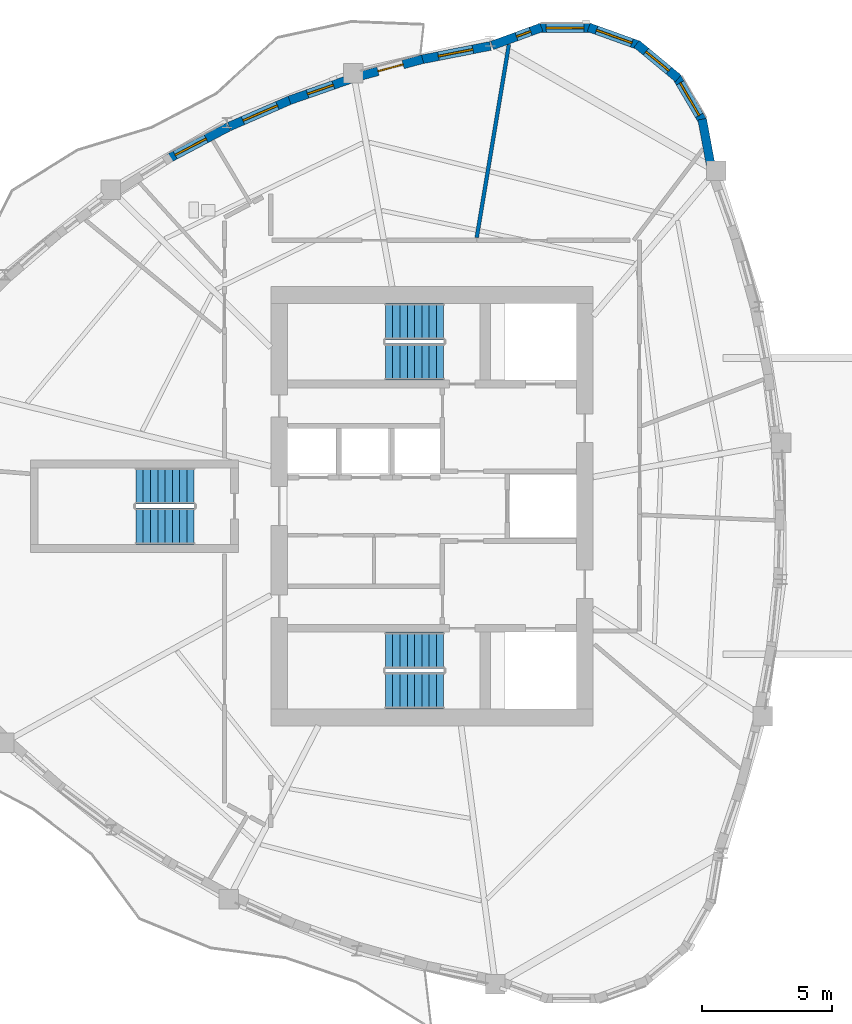
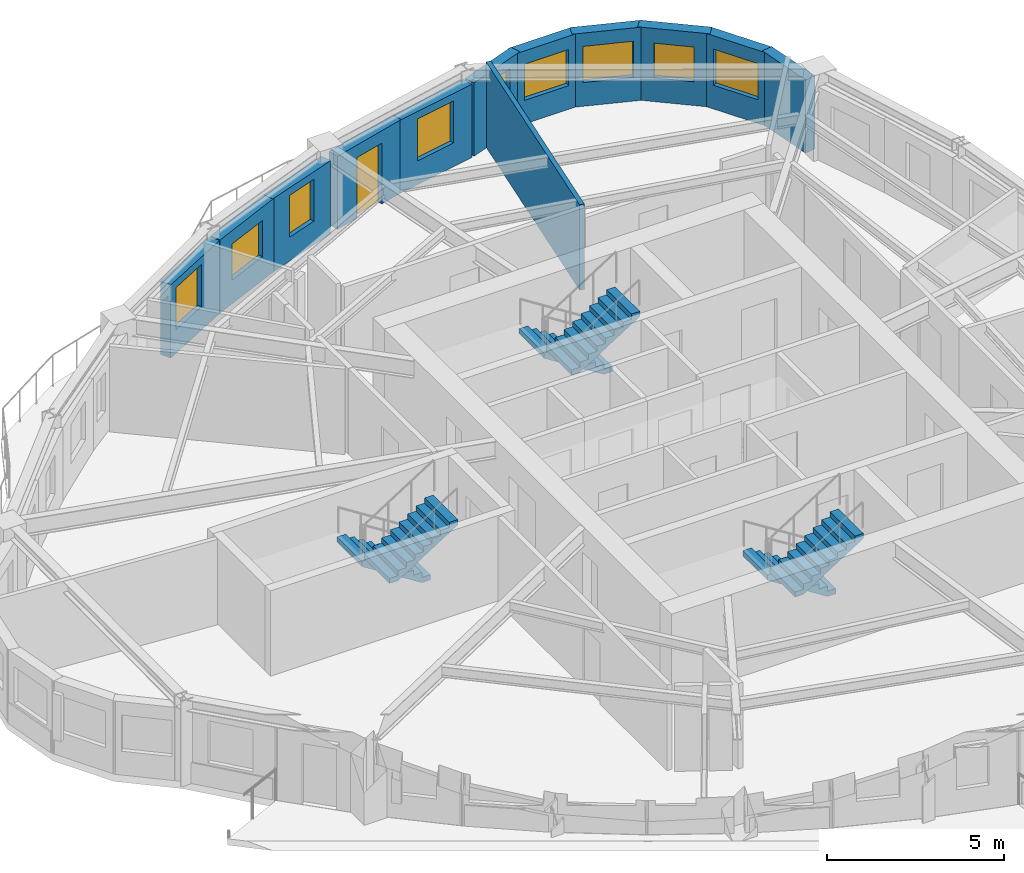
# One storey, part 7 of 11: 12 walls, 9 windows, 6 stair flights, 1 door, 10 openings, 3 elements without a shape of their own.
"""IFC4 building model written with IfcOpenShell, lengths in metres."""

import ifcopenshell
import ifcopenshell.guid

model = None  # the IFC model being written
_history = None  # IfcOwnerHistory: only IFC2X3 demands one
_inside = {}  # id of a spatial element -> (the spatial element, [elements in it])
_under = {}  # id of a project, library or spatial element -> (it, [spatial elements below it])
_declared = {}  # id of a project -> (the project, [libraries it declares])
_typed = {}  # id of a type object -> (the type object, [elements of that type])
_made_of = {}  # id of a material, layer set ... -> (it, [elements and type objects made of it])


def new_model(schema):
    """Start an empty IFC model of exactly this schema.

    Asked for "IFC4X3", IfcOpenShell would pick the latest addendum, in which some entities
    have other attributes; the version numbers below select the first issue.
    IFC2X3 requires an IfcOwnerHistory on every rooted entity: one is made here for all.
    """
    global model, _history
    if schema == "IFC4X3":
        model = ifcopenshell.file(schema_version=(4, 3, 0, 0))
    else:
        model = ifcopenshell.file(schema=schema)
    _inside.clear()
    _under.clear()
    _declared.clear()
    _typed.clear()
    _made_of.clear()
    _history = None
    if model.schema == "IFC2X3":
        org = make("IfcOrganization", Name="unknown")
        user = make(
            "IfcPersonAndOrganization",
            ThePerson=make("IfcPerson", FamilyName="unknown"),
            TheOrganization=org,
        )
        app = make(
            "IfcApplication",
            ApplicationDeveloper=org,
            Version="unknown",
            ApplicationFullName="unknown",
            ApplicationIdentifier="unknown",
        )
        _history = make(
            "IfcOwnerHistory",
            OwningUser=user,
            OwningApplication=app,
            ChangeAction="ADDED",
            CreationDate=0,
        )
    return model


def make(cls, **values):
    """One entity of the class cls with the attributes given. An attribute that is None is left unset."""
    return model.create_entity(
        cls, **{name: value for name, value in values.items() if value is not None}
    )


def rooted(cls, **values):
    """An entity with a GlobalId (a new one), such as an element, a storey or a relation."""
    return make(cls, GlobalId=ifcopenshell.guid.new(), OwnerHistory=_history, **values)


def si_unit(unit_type, name, prefix=None):
    """IfcSIUnit, for example si_unit("LENGTHUNIT", "METRE", prefix="MILLI")."""
    return make("IfcSIUnit", UnitType=unit_type, Prefix=prefix, Name=name)


def assignment(units):
    """IfcUnitAssignment: the units of a project."""
    return None if units is None else make("IfcUnitAssignment", Units=units)


def point(xyz):
    """IfcCartesianPoint."""
    return None if xyz is None else make("IfcCartesianPoint", Coordinates=xyz)


def direction(xyz):
    """IfcDirection."""
    return None if xyz is None else make("IfcDirection", DirectionRatios=xyz)


def frame(location, z_axis=None, x_axis=None):
    """IfcAxis2Placement3D, a coordinate frame: its origin and axes. An axis left out is left unset."""
    return make(
        "IfcAxis2Placement3D",
        Location=point(location),
        Axis=direction(z_axis),
        RefDirection=direction(x_axis),
    )


def frame_2d(location, x_axis=None):
    """IfcAxis2Placement2D, a coordinate frame in the plane: its origin and x axis."""
    return make(
        "IfcAxis2Placement2D", Location=point(location), RefDirection=direction(x_axis)
    )


def origin():
    """The frame at (0, 0, 0) with its axes left unset."""
    return frame((0.0, 0.0, 0.0))


def place(relative_to, where):
    """IfcLocalPlacement: puts the frame where relative to a parent placement (None: the world)."""
    return make(
        "IfcLocalPlacement", PlacementRelTo=relative_to, RelativePlacement=where
    )


def context(
    kind, dimensions, precision=None, world=None, true_north=None, identifier=None
):
    """IfcGeometricRepresentationContext, for example the 3D "Model" context."""
    return make(
        "IfcGeometricRepresentationContext",
        ContextIdentifier=identifier,
        ContextType=kind,
        CoordinateSpaceDimension=dimensions,
        Precision=precision,
        WorldCoordinateSystem=world,
        TrueNorth=true_north,
    )


def subcontext(parent, identifier, kind, view, scale=None):
    """IfcGeometricRepresentationSubContext, for example "Body" below "Model"."""
    return make(
        "IfcGeometricRepresentationSubContext",
        ContextIdentifier=identifier,
        ContextType=kind,
        ParentContext=parent,
        TargetScale=scale,
        TargetView=view,
    )


def project(units=None, contexts=None):
    """IfcProject with its units and contexts."""
    return rooted(
        "IfcProject",
        Name="project",
        RepresentationContexts=contexts,
        UnitsInContext=assignment(units),
    )


def spatial(cls, under=None, at=None, **own):
    """A site, building, storey or space (cls), placed at a placement, below another one or the project."""
    s = rooted(cls, ObjectPlacement=at, **own)
    if under is not None:
        _under.setdefault(under.id(), (under, []))[1].append(s)
    return s


def polyline(points):
    """IfcPolyline through the points."""
    return make("IfcPolyline", Points=[point(p) for p in points])


def profile(cls, at=None, kind="AREA", **sizes):
    """A parametric profile (cls). Its sizes go by their IFC names, for example OverallWidth=200.0."""
    return make(cls, ProfileType=kind, Position=at, **sizes)


def rectangle(**sizes):
    """IfcRectangleProfileDef."""
    return profile("IfcRectangleProfileDef", **sizes)


def outline(outer, holes=None, kind="AREA"):
    """IfcArbitraryClosedProfileDef: a profile drawn as a closed curve; with holes, ...WithVoids."""
    if holes is None:
        return make("IfcArbitraryClosedProfileDef", ProfileType=kind, OuterCurve=outer)
    return make(
        "IfcArbitraryProfileDefWithVoids",
        ProfileType=kind,
        OuterCurve=outer,
        InnerCurves=holes,
    )


def extrude(swept, where, along, depth):
    """IfcExtrudedAreaSolid: the profile swept, set in the frame where, extruded along a direction by depth."""
    return make(
        "IfcExtrudedAreaSolid",
        SweptArea=swept,
        Position=where,
        ExtrudedDirection=direction(along),
        Depth=depth,
    )


def shape(context_of_items, identifier, shape_type, items):
    """IfcShapeRepresentation: the items that make up one representation, for example the "Body"."""
    return make(
        "IfcShapeRepresentation",
        ContextOfItems=context_of_items,
        RepresentationIdentifier=identifier,
        RepresentationType=shape_type,
        Items=items,
    )


def source(mapping_origin, context_of_items, identifier, shape_type, items):
    """IfcRepresentationMap: a shape defined once, which mapped items show again and again."""
    return make(
        "IfcRepresentationMap",
        MappingOrigin=mapping_origin,
        MappedRepresentation=shape(context_of_items, identifier, shape_type, items),
    )


def transform(
    local_origin,
    x_axis=None,
    y_axis=None,
    z_axis=None,
    scale=None,
    scale2=None,
    scale3=None,
    uniform=True,
):
    """IfcCartesianTransformationOperator3D, or its non-uniform kind. x_axis, y_axis, z_axis: its Axis1, 2, 3."""
    if uniform:
        return make(
            "IfcCartesianTransformationOperator3D",
            Axis1=direction(x_axis),
            Axis2=direction(y_axis),
            LocalOrigin=point(local_origin),
            Scale=scale,
            Axis3=direction(z_axis),
        )
    return make(
        "IfcCartesianTransformationOperator3DnonUniform",
        Axis1=direction(x_axis),
        Axis2=direction(y_axis),
        LocalOrigin=point(local_origin),
        Scale=scale,
        Axis3=direction(z_axis),
        Scale2=scale2,
        Scale3=scale3,
    )


def mapped(mapping_source, mapping_target):
    """IfcMappedItem: shows the shape of a source again, moved by a transform."""
    return make(
        "IfcMappedItem", MappingSource=mapping_source, MappingTarget=mapping_target
    )


def material(Name=None, Category=None):
    """IfcMaterial."""
    return make("IfcMaterial", Name=Name, Category=Category)


def layer(
    of_material, thickness, ventilated=None, Name=None, Category=None, Priority=None
):
    """IfcMaterialLayer: one layer of a wall or slab, of a material (None: an air gap)."""
    return make(
        "IfcMaterialLayer",
        Material=of_material,
        LayerThickness=thickness,
        IsVentilated=ventilated,
        Name=Name,
        Category=Category,
        Priority=Priority,
    )


def layer_set(layers, Name=None):
    """IfcMaterialLayerSet."""
    return make("IfcMaterialLayerSet", MaterialLayers=layers, LayerSetName=Name)


def made_of(thing, what):
    """Note that an element or type object is made of a material, layer set ...; save() writes the relation."""
    if what is not None:
        _made_of.setdefault(what.id(), (what, []))[1].append(thing)
    return thing


def type_object(cls, material=None, **own):
    """A type object (cls), such as IfcWallType, which elements share."""
    return made_of(rooted(cls, **own), material)


def element(
    cls,
    number,
    at=None,
    inside=None,
    cuts=None,
    type_object=None,
    material=None,
    context=None,
    identifier="Body",
    shape_type=None,
    held_by="IfcProductDefinitionShape",
    body=None,
    shapes=None,
    **own,
):
    """One element of the class cls, such as IfcWall. Its Tag is "e" and its number.

    at: its placement. inside: the storey or other place that contains it. cuts: it is an
    opening in that element (IfcRelVoidsElement). A single representation is given by context,
    identifier, shape_type and body (its items); several are given by shapes. held_by: the class
    of the entity that holds the representations. save() writes the other relations.
    """
    e = rooted(cls, Tag="e%d" % number, ObjectPlacement=at, **own)
    if body is not None:
        shapes = [shape(context, identifier, shape_type, body)]
    if shapes is not None:
        e.Representation = make(held_by, Representations=shapes)
    if inside is not None:
        _inside.setdefault(inside.id(), (inside, []))[1].append(e)
    if cuts is not None:
        rooted(
            "IfcRelVoidsElement", RelatingBuildingElement=cuts, RelatedOpeningElement=e
        )
    if type_object is not None:
        _typed.setdefault(type_object.id(), (type_object, []))[1].append(e)
    return made_of(e, material)


def fill(opening, filler):
    """IfcRelFillsElement: the door or window that sits in an opening."""
    return rooted(
        "IfcRelFillsElement",
        RelatingOpeningElement=opening,
        RelatedBuildingElement=filler,
    )


def aggregate(whole, parts):
    """IfcRelAggregates: a whole, such as a stair, and the parts it consists of."""
    return rooted("IfcRelAggregates", RelatingObject=whole, RelatedObjects=parts)


def save(model, path):
    """Write the relations noted so far, then the file.

    IfcRelAggregates (storeys below a building ...), IfcRelContainedInSpatialStructure (elements
    in a storey), IfcRelDefinesByType, IfcRelAssociatesMaterial and IfcRelDeclares: one each for
    every whole, place, type object, material and project.
    """
    for whole, parts in _under.values():
        aggregate(whole, parts)
    for where, things in _inside.values():
        rooted(
            "IfcRelContainedInSpatialStructure",
            RelatedElements=things,
            RelatingStructure=where,
        )
    for kind, things in _typed.values():
        rooted("IfcRelDefinesByType", RelatedObjects=things, RelatingType=kind)
    for what, things in _made_of.values():
        rooted("IfcRelAssociatesMaterial", RelatedObjects=things, RelatingMaterial=what)
    for by, libraries in _declared.values():
        rooted("IfcRelDeclares", RelatingContext=by, RelatedDefinitions=libraries)
    model.write(path)


model = new_model("IFC4")

# Units and contexts
model_context = context("Model", 3, precision=1e-05, world=origin(), true_north=direction((0.0, 1.0)))
body_context = subcontext(model_context, "Body", "Model", "MODEL_VIEW")
ifc_project = project(units=[si_unit("LENGTHUNIT", "METRE"), si_unit("AREAUNIT", "SQUARE_METRE"), si_unit("VOLUMEUNIT", "CUBIC_METRE"), si_unit("PLANEANGLEUNIT", "RADIAN"), si_unit("MASSUNIT", "GRAM", prefix="KILO")], contexts=[model_context])

# Site, building, storey
site_placement = place(None, origin())
site = spatial("IfcSite", under=ifc_project, at=site_placement, CompositionType="ELEMENT")
building_placement = place(site_placement, origin())
building = spatial("IfcBuilding", under=site, at=building_placement, Name="Qafzar Sky-Pleat Residences", CompositionType="ELEMENT")
storey_placement = place(building_placement, frame((0.0, 0.0, 161.800048828125)))
storey = spatial("IfcBuildingStorey", under=building, at=storey_placement, Name="L48", CompositionType="ELEMENT", Elevation=161.800048828125)

# Walls
ifc_material_1 = material(Name="Acoustic gypsum plasterboard partition", Category="gypsum")
ifc_layer_1 = layer(ifc_material_1, 0.14501953125)
ifc_layer_set_1 = layer_set([ifc_layer_1], Name="Acoustic gypsum plasterboard partition")
wall_type_1 = type_object("IfcWallType", Name="PART-UNIT-145", PredefinedType="PARTITIONING", material=ifc_layer_set_1)
wall_1_placement = place(storey_placement, frame((32.070556640625, 36.329833984375, 0.0), z_axis=(0.0, 0.0, 1.0), x_axis=(0.164299199522, 0.986410549942, 0.0)))
element("IfcWall", 1, at=wall_1_placement, inside=storey, type_object=wall_type_1, Name="L48 Partition Wall PART-L48-PW-011", PredefinedType="PARTITIONING", context=body_context, shape_type="SweptSolid", body=[
    extrude(rectangle(XDim=7.538330078125, YDim=0.14501953125, at=frame_2d((3.76904296875, 0.0))), origin(), (0.0, 0.0, 1.0), 2.949951171875),
])
ifc_material_2 = material(Name="Precast concrete C40/50 with honed Riyadh limestone", Category="concrete")
ifc_layer_2 = layer(ifc_material_2, 0.340087890625)
ifc_layer_set_2 = layer_set([ifc_layer_2], Name="Precast concrete C40/50 with honed Riyadh limestone")
wall_type_2 = type_object("IfcWallType", Name="WALL-EXT-340", PredefinedType="SOLIDWALL", material=ifc_layer_set_2)
wall_2_placement = place(storey_placement, frame((41.08837890625, 39.02880859375, 0.0), z_axis=(0.0, 0.0, 1.0), x_axis=(-0.18244577317, 0.983215917209, 0.0)))
element("IfcWall", 2, at=wall_2_placement, inside=storey, type_object=wall_type_2, Name="L48 Limestone Facade Wall 33", PredefinedType="SOLIDWALL", context=body_context, shape_type="SweptSolid", body=[
    extrude(rectangle(XDim=1.88818359375, YDim=0.340087890625, at=frame_2d((0.944091796875, 0.0))), origin(), (0.0, 0.0, 1.0), 2.530029296875),
])

# Wall, opening, window
wall_3_placement = place(storey_placement, frame((40.79052734375, 40.760009765625, 0.0), z_axis=(0.0, 0.0, 1.0), x_axis=(-0.506225227923, 0.862401309493, 0.0)))
wall_3 = element("IfcWall", 3, at=wall_3_placement, inside=storey, type_object=wall_type_2, Name="L48 Limestone Facade Wall 34", PredefinedType="SOLIDWALL", context=body_context, shape_type="SweptSolid", body=[
    extrude(rectangle(XDim=2.0810546875, YDim=0.340087890625, at=frame_2d((1.04052734375, 0.0))), origin(), (0.0, 0.0, 1.0), 2.530029296875),
])
opening_1_placement = place(wall_3_placement, frame((0.3154296875, 0.0, 0.820068359375)))
opening_1 = element("IfcOpeningElement", 4, at=opening_1_placement, cuts=wall_3, Name="Opening WN-15", PredefinedType="OPENING", context=body_context, shape_type="SweptSolid", body=[
    extrude(rectangle(XDim=1.449951171875, YDim=1.25, at=frame_2d((0.72509765625, 0.625))), frame((0.0, 0.18017578125, 0.0), z_axis=(0.0, -1.0, 0.0), x_axis=(1.0, 0.0, 0.0)), (0.0, 0.0, 1.0), 0.360107421875),
])
ifc_material_3 = material(Name="Solar-control low-E glass in bronze aluminium frame", Category="glass")
window_type_1 = type_object("IfcWindowType", Name="WIN-15", PartitioningType="SINGLE_PANEL", PredefinedType="WINDOW", material=ifc_material_3)
shared_shape_1 = source(origin(), body_context, "Body", "SweptSolid", [
    extrude(rectangle(XDim=1.449951171875, YDim=1.25, at=frame_2d((0.72509765625, 0.625))), frame((0.0, 0.030029296875, 0.0), z_axis=(0.0, -1.0, 0.0), x_axis=(1.0, 0.0, 0.0)), (0.0, 0.0, 1.0), 0.06005859375),
])
window_1_placement = place(opening_1_placement, origin())
window_1 = element("IfcWindow", 5, at=window_1_placement, inside=storey, type_object=window_type_1, Name="L48 Punched Facade Window 34", OverallHeight=1.25, OverallWidth=1.449951171875, PartitioningType="SINGLE_PANEL", PredefinedType="WINDOW", context=body_context, shape_type="MappedRepresentation", body=[
    mapped(shared_shape_1, transform((0.0, 0.0, 0.0), x_axis=(1.0, 0.0, 0.0), y_axis=(0.0, 1.0, 0.0), z_axis=(0.0, 0.0, 1.0), scale=1.0)),
])
fill(opening_1, window_1)

wall_4_placement = place(storey_placement, frame((39.823486328125, 42.452880859375, 0.0), z_axis=(0.0, 0.0, 1.0), x_axis=(-0.769690471148, 0.63841724493, 0.0)))
wall_4 = element("IfcWall", 6, at=wall_4_placement, inside=storey, type_object=wall_type_2, Name="L48 Limestone Facade Wall 35", PredefinedType="SOLIDWALL", context=body_context, shape_type="SweptSolid", body=[
    extrude(rectangle(XDim=2.0810546875, YDim=0.340087890625, at=frame_2d((1.04052734375, 0.0))), origin(), (0.0, 0.0, 1.0), 2.530029296875),
])
opening_2_placement = place(wall_4_placement, frame((0.465576171875, 0.0, 0.820068359375)))
opening_2 = element("IfcOpeningElement", 7, at=opening_2_placement, cuts=wall_4, Name="Opening WN-16", PredefinedType="OPENING", context=body_context, shape_type="SweptSolid", body=[
    extrude(rectangle(XDim=1.14990234375, YDim=1.199951171875, at=frame_2d((0.574951171875, 0.60009765625))), frame((0.0, 0.18017578125, 0.0), z_axis=(0.0, -1.0, 0.0), x_axis=(1.0, 0.0, 0.0)), (0.0, 0.0, 1.0), 0.360107421875),
])
window_type_2 = type_object("IfcWindowType", Name="WIN-16", PartitioningType="SINGLE_PANEL", PredefinedType="WINDOW", material=ifc_material_3)
shared_shape_2 = source(origin(), body_context, "Body", "SweptSolid", [
    extrude(rectangle(XDim=1.14990234375, YDim=1.199951171875, at=frame_2d((0.574951171875, 0.60009765625))), frame((0.0, 0.030029296875, 0.0), z_axis=(0.0, -1.0, 0.0), x_axis=(1.0, 0.0, 0.0)), (0.0, 0.0, 1.0), 0.06005859375),
])
window_2_placement = place(opening_2_placement, origin())
window_2 = element("IfcWindow", 8, at=window_2_placement, inside=storey, type_object=window_type_2, Name="L48 Punched Facade Window 35", OverallHeight=1.199951171875, OverallWidth=1.14990234375, PartitioningType="SINGLE_PANEL", PredefinedType="WINDOW", context=body_context, shape_type="MappedRepresentation", body=[
    mapped(shared_shape_2, transform((0.0, 0.0, 0.0), x_axis=(1.0, 0.0, 0.0), y_axis=(0.0, 1.0, 0.0), z_axis=(0.0, 0.0, 1.0), scale=1.0)),
])
fill(opening_2, window_2)

wall_5_placement = place(storey_placement, frame((38.337890625, 43.71533203125, 0.0), z_axis=(0.0, 0.0, 1.0), x_axis=(-0.941071215914, 0.338208466153, 0.0)))
wall_5 = element("IfcWall", 9, at=wall_5_placement, inside=storey, type_object=wall_type_2, Name="L48 Limestone Facade Wall 36", PredefinedType="SOLIDWALL", context=body_context, shape_type="SweptSolid", body=[
    extrude(rectangle(XDim=2.0810546875, YDim=0.340087890625, at=frame_2d((1.04052734375, 0.0))), origin(), (0.0, 0.0, 1.0), 2.530029296875),
])
opening_3_placement = place(wall_5_placement, frame((0.3154296875, 0.0, 0.820068359375)))
opening_3 = element("IfcOpeningElement", 10, at=opening_3_placement, cuts=wall_5, Name="Opening WN-15", PredefinedType="OPENING", context=body_context, shape_type="SweptSolid", body=[
    extrude(rectangle(XDim=1.449951171875, YDim=1.25, at=frame_2d((0.72509765625, 0.625))), frame((0.0, 0.18017578125, 0.0), z_axis=(0.0, -1.0, 0.0), x_axis=(1.0, 0.0, 0.0)), (0.0, 0.0, 1.0), 0.360107421875),
])
window_3_placement = place(opening_3_placement, origin())
window_3 = element("IfcWindow", 11, at=window_3_placement, inside=storey, type_object=window_type_1, Name="L48 Punched Facade Window 36", OverallHeight=1.25, OverallWidth=1.449951171875, PartitioningType="SINGLE_PANEL", PredefinedType="WINDOW", context=body_context, shape_type="MappedRepresentation", body=[
    mapped(shared_shape_1, transform((0.0, 0.0, 0.0), x_axis=(1.0, 0.0, 0.0), y_axis=(0.0, 1.0, 0.0), z_axis=(0.0, 0.0, 1.0), scale=1.0)),
])
fill(opening_3, window_3)

wall_6_placement = place(storey_placement, frame((36.510986328125, 44.396484375, 0.0), z_axis=(0.0, 0.0, 1.0), x_axis=(-0.999996965272, -0.002463624621, 0.0)))
wall_6 = element("IfcWall", 12, at=wall_6_placement, inside=storey, type_object=wall_type_2, Name="L48 Limestone Facade Wall 37", PredefinedType="SOLIDWALL", context=body_context, shape_type="SweptSolid", body=[
    extrude(rectangle(XDim=2.0810546875, YDim=0.340087890625, at=frame_2d((1.04052734375, 0.0))), origin(), (0.0, 0.0, 1.0), 2.530029296875),
])
opening_4_placement = place(wall_6_placement, frame((0.315673828125, 0.0, 0.820068359375)))
opening_4 = element("IfcOpeningElement", 13, at=opening_4_placement, cuts=wall_6, Name="Opening WN-15", PredefinedType="OPENING", context=body_context, shape_type="SweptSolid", body=[
    extrude(rectangle(XDim=1.449951171875, YDim=1.25, at=frame_2d((0.72509765625, 0.625))), frame((0.0, 0.18017578125, 0.0), z_axis=(0.0, -1.0, 0.0), x_axis=(1.0, 0.0, 0.0)), (0.0, 0.0, 1.0), 0.360107421875),
])
window_4_placement = place(opening_4_placement, origin())
window_4 = element("IfcWindow", 14, at=window_4_placement, inside=storey, type_object=window_type_1, Name="L48 Punched Facade Window 37", OverallHeight=1.25, OverallWidth=1.449951171875, PartitioningType="SINGLE_PANEL", PredefinedType="WINDOW", context=body_context, shape_type="MappedRepresentation", body=[
    mapped(shared_shape_1, transform((0.0, 0.0, 0.0), x_axis=(1.0, 0.0, 0.0), y_axis=(0.0, 1.0, 0.0), z_axis=(0.0, 0.0, 1.0), scale=1.0)),
])
fill(opening_4, window_4)

wall_7_placement = place(storey_placement, frame((34.5615234375, 44.414794921875, 0.0), z_axis=(0.0, 0.0, 1.0), x_axis=(-0.939426417976, -0.342750645819, 0.0)))
wall_7 = element("IfcWall", 15, at=wall_7_placement, inside=storey, type_object=wall_type_2, Name="L48 Limestone Facade Wall 38", PredefinedType="SOLIDWALL", context=body_context, shape_type="SweptSolid", body=[
    extrude(rectangle(XDim=2.02294921875, YDim=0.340087890625, at=frame_2d((1.011474609375, 0.0))), origin(), (0.0, 0.0, 1.0), 2.530029296875),
])
opening_5_placement = place(wall_7_placement, frame((0.443603515625, 0.0, 0.820068359375)))
opening_5 = element("IfcOpeningElement", 16, at=opening_5_placement, cuts=wall_7, Name="Opening WN-17", PredefinedType="OPENING", context=body_context, shape_type="SweptSolid", body=[
    extrude(rectangle(XDim=0.580078125, YDim=1.35009765625, at=frame_2d((0.2900390625, 0.675048828125))), frame((0.0, 0.18017578125, 0.0), z_axis=(0.0, -1.0, 0.0), x_axis=(1.0, 0.0, 0.0)), (0.0, 0.0, 1.0), 0.360107421875),
])
window_type_3 = type_object("IfcWindowType", Name="WIN-17", PartitioningType="SINGLE_PANEL", PredefinedType="WINDOW", material=ifc_material_3)
shared_shape_3 = source(origin(), body_context, "Body", "SweptSolid", [
    extrude(rectangle(XDim=0.580078125, YDim=1.35009765625, at=frame_2d((0.2900390625, 0.675048828125))), frame((0.0, 0.030029296875, 0.0), z_axis=(0.0, -1.0, 0.0), x_axis=(1.0, 0.0, 0.0)), (0.0, 0.0, 1.0), 0.06005859375),
])
window_5_placement = place(opening_5_placement, origin())
window_5 = element("IfcWindow", 17, at=window_5_placement, inside=storey, type_object=window_type_3, Name="L48 Punched Facade Window 38", OverallHeight=1.35009765625, OverallWidth=0.580078125, PartitioningType="SINGLE_PANEL", PredefinedType="WINDOW", context=body_context, shape_type="MappedRepresentation", body=[
    mapped(shared_shape_3, transform((0.0, 0.0, 0.0), x_axis=(1.0, 0.0, 0.0), y_axis=(0.0, 1.0, 0.0), z_axis=(0.0, 0.0, 1.0), scale=1.0)),
])
fill(opening_5, window_5)

wall_8_placement = place(storey_placement, frame((32.59716796875, 43.70361328125, 0.0), z_axis=(0.0, 0.0, 1.0), x_axis=(-0.981214876679, -0.192918028667, 0.0)))
wall_8 = element("IfcWall", 18, at=wall_8_placement, inside=storey, type_object=wall_type_2, Name="L48 Limestone Facade Wall 39", PredefinedType="SOLIDWALL", context=body_context, shape_type="SweptSolid", body=[
    extrude(rectangle(XDim=2.74609375, YDim=0.340087890625, at=frame_2d((1.373046875, 0.0))), origin(), (0.0, 0.0, 1.0), 2.530029296875),
])
opening_6_placement = place(wall_8_placement, frame((0.68798828125, 0.0, 0.820068359375)))
opening_6 = element("IfcOpeningElement", 19, at=opening_6_placement, cuts=wall_8, Name="Opening WN-04", PredefinedType="OPENING", context=body_context, shape_type="SweptSolid", body=[
    extrude(rectangle(XDim=1.35009765625, YDim=1.449951171875, at=frame_2d((0.675048828125, 0.72509765625))), frame((0.0, 0.18017578125, 0.0), z_axis=(0.0, -1.0, 0.0), x_axis=(1.0, 0.0, 0.0)), (0.0, 0.0, 1.0), 0.360107421875),
])
window_type_4 = type_object("IfcWindowType", Name="WIN-04", PartitioningType="SINGLE_PANEL", PredefinedType="WINDOW", material=ifc_material_3)
shared_shape_4 = source(origin(), body_context, "Body", "SweptSolid", [
    extrude(rectangle(XDim=1.35009765625, YDim=1.449951171875, at=frame_2d((0.675048828125, 0.72509765625))), frame((0.0, 0.030029296875, 0.0), z_axis=(0.0, -1.0, 0.0), x_axis=(1.0, 0.0, 0.0)), (0.0, 0.0, 1.0), 0.06005859375),
])
window_6_placement = place(opening_6_placement, origin())
window_6 = element("IfcWindow", 20, at=window_6_placement, inside=storey, type_object=window_type_4, Name="L48 Punched Facade Window 39", OverallHeight=1.449951171875, OverallWidth=1.35009765625, PartitioningType="SINGLE_PANEL", PredefinedType="WINDOW", context=body_context, shape_type="MappedRepresentation", body=[
    mapped(shared_shape_4, transform((0.0, 0.0, 0.0), x_axis=(1.0, 0.0, 0.0), y_axis=(0.0, 1.0, 0.0), z_axis=(0.0, 0.0, 1.0), scale=1.0)),
])
fill(opening_6, window_6)

# Wall, opening, door
wall_9_placement = place(storey_placement, frame((29.988037109375, 43.19384765625, 0.0), z_axis=(0.0, 0.0, 1.0), x_axis=(-0.965459623591, -0.26055271101, 0.0)))
wall_9 = element("IfcWall", 21, at=wall_9_placement, inside=storey, type_object=wall_type_2, Name="L48 Limestone Facade Wall 40", PredefinedType="SOLIDWALL", context=body_context, shape_type="SweptSolid", body=[
    extrude(rectangle(XDim=2.55419921875, YDim=0.340087890625, at=frame_2d((1.277099609375, 0.0))), origin(), (0.0, 0.0, 1.0), 2.530029296875),
])
opening_7_placement = place(wall_9_placement, frame((0.777099609375, 0.0, 0.0)))
opening_7 = element("IfcOpeningElement", 22, at=opening_7_placement, cuts=wall_9, Name="Opening ED-05", PredefinedType="OPENING", context=body_context, shape_type="SweptSolid", body=[
    extrude(rectangle(XDim=1.0, YDim=2.10009765625, at=frame_2d((0.5, 1.050048828125))), frame((0.0, 0.18017578125, 0.0), z_axis=(0.0, -1.0, 0.0), x_axis=(1.0, 0.0, 0.0)), (0.0, 0.0, 1.0), 0.360107421875),
])
ifc_material_4 = material(Name="Glazed bronze aluminium door", Category="aluminium")
door_type = type_object("IfcDoorType", Name="DR-BAL-1000", OperationType="NOTDEFINED", PredefinedType="DOOR", material=ifc_material_4)
shared_shape_5 = source(origin(), body_context, "Body", "SweptSolid", [
    extrude(rectangle(XDim=1.0, YDim=2.10009765625, at=frame_2d((0.5, 1.050048828125))), frame((0.0, 0.02490234375, 0.0), z_axis=(0.0, -1.0, 0.0), x_axis=(1.0, 0.0, 0.0)), (0.0, 0.0, 1.0), 0.050048828125),
])
door_placement = place(opening_7_placement, origin())
door = element("IfcDoor", 23, at=door_placement, inside=storey, type_object=door_type, Name="L48 Glazed Balcony Door 1", OperationType="SINGLE_SWING_LEFT", OverallHeight=2.10009765625, OverallWidth=1.0, PredefinedType="DOOR", context=body_context, shape_type="MappedRepresentation", body=[
    mapped(shared_shape_5, transform((0.0, 0.0, 0.0), x_axis=(1.0, 0.0, 0.0), y_axis=(0.0, 1.0, 0.0), z_axis=(0.0, 0.0, 1.0), scale=1.0)),
])
fill(opening_7, door)

# Wall, opening, window
wall_10_placement = place(storey_placement, frame((27.23779296875, 42.4404296875, 0.0), z_axis=(0.0, 0.0, 1.0), x_axis=(-0.944135459374, -0.329557634341, 0.0)))
wall_10 = element("IfcWall", 24, at=wall_10_placement, inside=storey, type_object=wall_type_2, Name="L48 Limestone Facade Wall 41", PredefinedType="SOLIDWALL", context=body_context, shape_type="SweptSolid", body=[
    extrude(rectangle(XDim=2.510498046875, YDim=0.340087890625, at=frame_2d((1.25537109375, 0.0))), origin(), (0.0, 0.0, 1.0), 2.530029296875),
])
opening_8_placement = place(wall_10_placement, frame((0.72509765625, 0.0, 0.820068359375)))
opening_8 = element("IfcOpeningElement", 25, at=opening_8_placement, cuts=wall_10, Name="Opening WN-06", PredefinedType="OPENING", context=body_context, shape_type="SweptSolid", body=[
    extrude(rectangle(XDim=1.050048828125, YDim=1.449951171875, at=frame_2d((0.52490234375, 0.72509765625))), frame((0.0, 0.18017578125, 0.0), z_axis=(0.0, -1.0, 0.0), x_axis=(1.0, 0.0, 0.0)), (0.0, 0.0, 1.0), 0.360107421875),
])
window_type_5 = type_object("IfcWindowType", Name="WIN-06", PartitioningType="SINGLE_PANEL", PredefinedType="WINDOW", material=ifc_material_3)
shared_shape_6 = source(origin(), body_context, "Body", "SweptSolid", [
    extrude(rectangle(XDim=1.050048828125, YDim=1.449951171875, at=frame_2d((0.52490234375, 0.72509765625))), frame((0.0, 0.030029296875, 0.0), z_axis=(0.0, -1.0, 0.0), x_axis=(1.0, 0.0, 0.0)), (0.0, 0.0, 1.0), 0.06005859375),
])
window_7_placement = place(opening_8_placement, origin())
window_7 = element("IfcWindow", 26, at=window_7_placement, inside=storey, type_object=window_type_5, Name="L48 Punched Facade Window 41", OverallHeight=1.449951171875, OverallWidth=1.050048828125, PartitioningType="SINGLE_PANEL", PredefinedType="WINDOW", context=body_context, shape_type="MappedRepresentation", body=[
    mapped(shared_shape_6, transform((0.0, 0.0, 0.0), x_axis=(1.0, 0.0, 0.0), y_axis=(0.0, 1.0, 0.0), z_axis=(0.0, 0.0, 1.0), scale=1.0)),
])
fill(opening_8, window_7)

wall_11_placement = place(storey_placement, frame((24.949951171875, 41.645263671875, 0.0), z_axis=(0.0, 0.0, 1.0), x_axis=(-0.917090826553, -0.398678336322, 0.0)))
wall_11 = element("IfcWall", 27, at=wall_11_placement, inside=storey, type_object=wall_type_2, Name="L48 Limestone Facade Wall 42", PredefinedType="SOLIDWALL", context=body_context, shape_type="SweptSolid", body=[
    extrude(rectangle(XDim=2.615966796875, YDim=0.340087890625, at=frame_2d((1.30810546875, 0.0))), origin(), (0.0, 0.0, 1.0), 2.530029296875),
])
opening_9_placement = place(wall_11_placement, frame((0.593017578125, 0.0, 0.820068359375)))
opening_9 = element("IfcOpeningElement", 28, at=opening_9_placement, cuts=wall_11, Name="Opening WN-15", PredefinedType="OPENING", context=body_context, shape_type="SweptSolid", body=[
    extrude(rectangle(XDim=1.449951171875, YDim=1.25, at=frame_2d((0.72509765625, 0.625))), frame((0.0, 0.18017578125, 0.0), z_axis=(0.0, -1.0, 0.0), x_axis=(1.0, 0.0, 0.0)), (0.0, 0.0, 1.0), 0.360107421875),
])
window_8_placement = place(opening_9_placement, origin())
window_8 = element("IfcWindow", 29, at=window_8_placement, inside=storey, type_object=window_type_1, Name="L48 Punched Facade Window 42", OverallHeight=1.25, OverallWidth=1.449951171875, PartitioningType="SINGLE_PANEL", PredefinedType="WINDOW", context=body_context, shape_type="MappedRepresentation", body=[
    mapped(shared_shape_1, transform((0.0, 0.0, 0.0), x_axis=(1.0, 0.0, 0.0), y_axis=(0.0, 1.0, 0.0), z_axis=(0.0, 0.0, 1.0), scale=1.0)),
])
fill(opening_9, window_8)

wall_12_placement = place(storey_placement, frame((22.5263671875, 40.590576171875, 0.0), z_axis=(0.0, 0.0, 1.0), x_axis=(-0.884394438343, -0.46674026763, 0.0)))
wall_12 = element("IfcWall", 30, at=wall_12_placement, inside=storey, type_object=wall_type_2, Name="L48 Limestone Facade Wall 43", PredefinedType="SOLIDWALL", context=body_context, shape_type="SweptSolid", body=[
    extrude(rectangle(XDim=2.601318359375, YDim=0.340087890625, at=frame_2d((1.30078125, 0.0))), origin(), (0.0, 0.0, 1.0), 2.530029296875),
])
opening_10_placement = place(wall_12_placement, frame((0.976806640625, 0.0, 0.820068359375)))
opening_10 = element("IfcOpeningElement", 31, at=opening_10_placement, cuts=wall_12, Name="Opening WN-04", PredefinedType="OPENING", context=body_context, shape_type="SweptSolid", body=[
    extrude(rectangle(XDim=1.35009765625, YDim=1.449951171875, at=frame_2d((0.675048828125, 0.72509765625))), frame((0.0, 0.18017578125, 0.0), z_axis=(0.0, -1.0, 0.0), x_axis=(1.0, 0.0, 0.0)), (0.0, 0.0, 1.0), 0.360107421875),
])
window_9_placement = place(opening_10_placement, origin())
window_9 = element("IfcWindow", 32, at=window_9_placement, inside=storey, type_object=window_type_4, Name="L48 Punched Facade Window 43-2", OverallHeight=1.449951171875, OverallWidth=1.35009765625, PartitioningType="SINGLE_PANEL", PredefinedType="WINDOW", context=body_context, shape_type="MappedRepresentation", body=[
    mapped(shared_shape_4, transform((0.0, 0.0, 0.0), x_axis=(1.0, 0.0, 0.0), y_axis=(0.0, 1.0, 0.0), z_axis=(0.0, 0.0, 1.0), scale=1.0)),
])
fill(opening_10, window_9)

# Stair, stair flights
ifc_material_5 = material(Name="Concrete C40/50", Category="concrete")
stair_type = type_object("IfcStairType", Name="STAIR-H320", PredefinedType="HALF_TURN_STAIR", material=ifc_material_5)
stair_1_placement = place(storey_placement, origin())
stair_1 = element("IfcStair", 33, at=stair_1_placement, inside=storey, type_object=stair_type, Name="L48 Protected Exit Stair ST1", PredefinedType="HALF_TURN_STAIR")
stair_flight_type = type_object("IfcStairFlightType", Name="FLIGHT-H320", PredefinedType="STRAIGHT", material=ifc_material_5)
shared_shape_7 = source(origin(), body_context, "Body", "SweptSolid", [
    extrude(outline(polyline([(0.0, 0.0), (0.0, 0.177734375), (0.280029296875, 0.177734375), (0.280029296875, 0.35546875), (0.56005859375, 0.35546875), (0.56005859375, 0.533447265625), (0.840087890625, 0.533447265625), (0.840087890625, 0.711181640625), (1.1201171875, 0.711181640625), (1.1201171875, 0.888916015625), (1.39990234375, 0.888916015625), (1.39990234375, 1.066650390625), (1.679931640625, 1.066650390625), (1.679931640625, 1.244384765625), (1.9599609375, 1.244384765625), (1.9599609375, 1.422119140625), (2.239990234375, 1.422119140625), (2.239990234375, 1.60009765625), (2.239990234375, 1.24462890625), (0.27978515625, 0.0), (0.0, 0.0)])), frame((0.0, 0.699951171875, 0.0), z_axis=(0.0, -1.0, 0.0), x_axis=(1.0, 0.0, 0.0)), (0.0, 0.0, 1.0), 1.39990234375),
])
stair_flight_1_placement = place(storey_placement, frame((30.800048828125, 20.449951171875, 0.0), z_axis=(0.0, 0.0, 1.0), x_axis=(-1.0, 0.0, 0.0)))
stair_flight_1 = element("IfcStairFlight", 34, at=stair_flight_1_placement, type_object=stair_flight_type, Name="ST1 flight 1", NumberOfRisers=9, NumberOfTreads=8, PredefinedType="STRAIGHT", RiserHeight=0.177777778, TreadLength=0.28, context=body_context, shape_type="MappedRepresentation", body=[
    mapped(shared_shape_7, transform((0.0, 0.0, 0.0), x_axis=(1.0, 0.0, 0.0), y_axis=(0.0, 1.0, 0.0), z_axis=(0.0, 0.0, 1.0), scale=1.0)),
])
stair_flight_2_placement = place(storey_placement, frame((28.56005859375, 18.89990234375, 1.599853515625), z_axis=(0.0, 0.0, 1.0), x_axis=(1.0, 0.0, 0.0)))
stair_flight_2 = element("IfcStairFlight", 35, at=stair_flight_2_placement, type_object=stair_flight_type, Name="ST1 flight 2", NumberOfRisers=9, NumberOfTreads=8, PredefinedType="STRAIGHT", RiserHeight=0.177777778, TreadLength=0.28, context=body_context, shape_type="MappedRepresentation", body=[
    mapped(shared_shape_7, transform((0.0, 0.0, 0.0), x_axis=(1.0, 0.0, 0.0), y_axis=(0.0, 1.0, 0.0), z_axis=(0.0, 0.0, 1.0), scale=1.0)),
])
aggregate(stair_1, [stair_flight_1, stair_flight_2])

stair_2_placement = place(storey_placement, origin())
stair_2 = element("IfcStair", 36, at=stair_2_placement, inside=storey, type_object=stair_type, Name="L48 Protected Exit Stair ST2", PredefinedType="HALF_TURN_STAIR")
stair_flight_3_placement = place(storey_placement, frame((30.800048828125, 33.10009765625, 0.0), z_axis=(0.0, 0.0, 1.0), x_axis=(-1.0, 0.0, 0.0)))
stair_flight_3 = element("IfcStairFlight", 37, at=stair_flight_3_placement, type_object=stair_flight_type, Name="ST2 flight 1", NumberOfRisers=9, NumberOfTreads=8, PredefinedType="STRAIGHT", RiserHeight=0.177777778, TreadLength=0.28, context=body_context, shape_type="MappedRepresentation", body=[
    mapped(shared_shape_7, transform((0.0, 0.0, 0.0), x_axis=(1.0, 0.0, 0.0), y_axis=(0.0, 1.0, 0.0), z_axis=(0.0, 0.0, 1.0), scale=1.0)),
])
stair_flight_4_placement = place(storey_placement, frame((28.56005859375, 31.550048828125, 1.599853515625), z_axis=(0.0, 0.0, 1.0), x_axis=(1.0, 0.0, 0.0)))
stair_flight_4 = element("IfcStairFlight", 38, at=stair_flight_4_placement, type_object=stair_flight_type, Name="ST2 flight 2", NumberOfRisers=9, NumberOfTreads=8, PredefinedType="STRAIGHT", RiserHeight=0.177777778, TreadLength=0.28, context=body_context, shape_type="MappedRepresentation", body=[
    mapped(shared_shape_7, transform((0.0, 0.0, 0.0), x_axis=(1.0, 0.0, 0.0), y_axis=(0.0, 1.0, 0.0), z_axis=(0.0, 0.0, 1.0), scale=1.0)),
])
aggregate(stair_2, [stair_flight_3, stair_flight_4])

stair_3_placement = place(storey_placement, origin())
stair_3 = element("IfcStair", 39, at=stair_3_placement, inside=storey, type_object=stair_type, Name="L48 Protected Exit Stair ST3", PredefinedType="HALF_TURN_STAIR")
stair_flight_5_placement = place(storey_placement, frame((21.199951171875, 26.77490234375, 0.0), z_axis=(0.0, 0.0, 1.0), x_axis=(-1.0, 0.0, 0.0)))
stair_flight_5 = element("IfcStairFlight", 40, at=stair_flight_5_placement, type_object=stair_flight_type, Name="ST3 flight 1", NumberOfRisers=9, NumberOfTreads=8, PredefinedType="STRAIGHT", RiserHeight=0.177777778, TreadLength=0.28, context=body_context, shape_type="MappedRepresentation", body=[
    mapped(shared_shape_7, transform((0.0, 0.0, 0.0), x_axis=(1.0, 0.0, 0.0), y_axis=(0.0, 1.0, 0.0), z_axis=(0.0, 0.0, 1.0), scale=1.0)),
])
stair_flight_6_placement = place(storey_placement, frame((18.9599609375, 25.22509765625, 1.599853515625), z_axis=(0.0, 0.0, 1.0), x_axis=(1.0, 0.0, 0.0)))
stair_flight_6 = element("IfcStairFlight", 41, at=stair_flight_6_placement, type_object=stair_flight_type, Name="ST3 flight 2", NumberOfRisers=9, NumberOfTreads=8, PredefinedType="STRAIGHT", RiserHeight=0.177777778, TreadLength=0.28, context=body_context, shape_type="MappedRepresentation", body=[
    mapped(shared_shape_7, transform((0.0, 0.0, 0.0), x_axis=(1.0, 0.0, 0.0), y_axis=(0.0, 1.0, 0.0), z_axis=(0.0, 0.0, 1.0), scale=1.0)),
])
aggregate(stair_3, [stair_flight_5, stair_flight_6])

save(model, "model.ifc")
